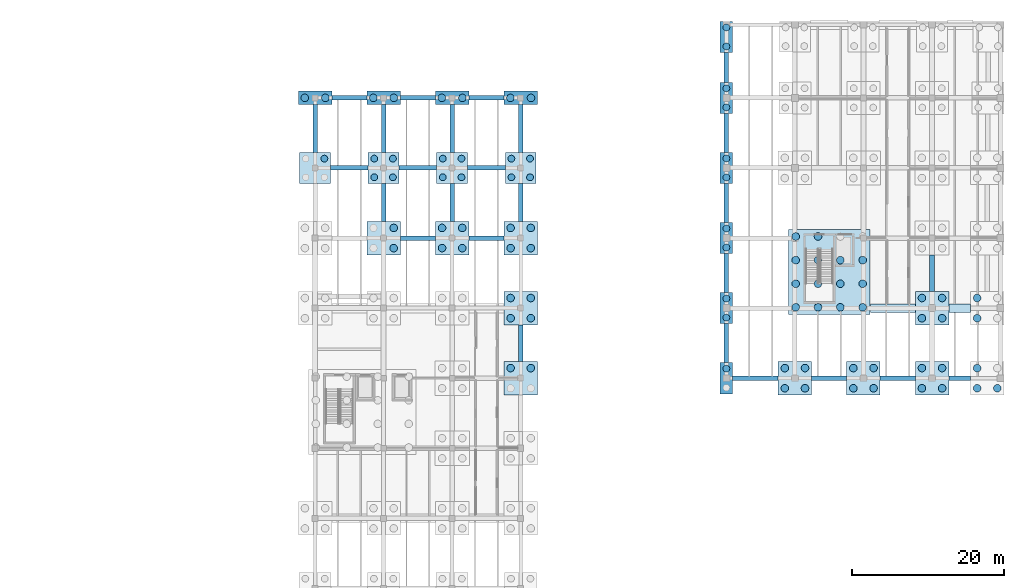
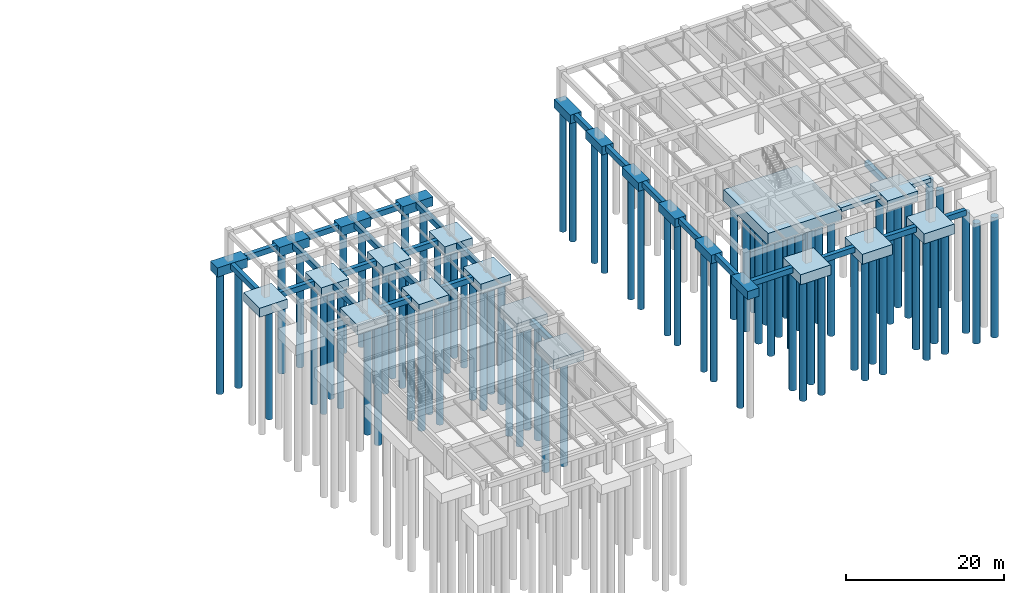
# One storey, part 3 of 16: 83 piles, 52 footings.
"""IFC4 building model written with IfcOpenShell, lengths in metres."""

from ifc_helpers import new_model, si_unit, direction, frame, origin, origin_2d, place, context, subcontext, project, spatial, rectangle, circle, extrude, material, material_profile, profile_set, type_object, element, save


model = new_model("IFC4")

# Units and contexts
model_context = context("Model", 3, precision=1e-05, world=origin(), true_north=direction((0.0, 1.0)))
body_context = subcontext(model_context, "Body", "Model", "MODEL_VIEW")
ifc_project = project(units=[si_unit("LENGTHUNIT", "METRE"), si_unit("AREAUNIT", "SQUARE_METRE"), si_unit("VOLUMEUNIT", "CUBIC_METRE"), si_unit("PLANEANGLEUNIT", "RADIAN"), si_unit("MASSUNIT", "GRAM", prefix="KILO")], contexts=[model_context])

# Site, building, storey
site_placement = place(None, origin())
site = spatial("IfcSite", under=ifc_project, at=site_placement, CompositionType="ELEMENT")
building_placement = place(site_placement, origin())
building = spatial("IfcBuilding", under=site, at=building_placement, Name="Bozkorgan Art Gallery", CompositionType="ELEMENT")
storey_placement = place(building_placement, frame((0.0, 0.0, -4.800048828125)))
storey = spatial("IfcBuildingStorey", under=building, at=storey_placement, Name="B1", CompositionType="ELEMENT", Elevation=-4.800048828125)

# Footings
ifc_material = material(Name="Concrete C30/37", Category="concrete")
ifc_material_profile_1 = material_profile(ifc_material, rectangle(XDim=0.60009765625, YDim=0.85009765625, at=origin_2d()), Name="FND 600x850")
ifc_profile_set_1 = profile_set([ifc_material_profile_1], Name="Concrete C30/37")
footing_type_1 = type_object("IfcFootingType", Name="FOOTING-FB-70", PredefinedType="FOOTING_BEAM", material=ifc_profile_set_1)
for number, where, z_axis, x_axis, name in (
    (1, (85.199951171875, 84.39990234375, -0.425048828125), (1.0, 0.0, 0.0), (0.0, 1.0, 0.0), "V4 foundation tie beam X (83-92, 84.4)"),
    (2, (94.199951171875, 84.39990234375, -0.425048828125), (1.0, 0.0, 0.0), (0.0, 1.0, 0.0), "V4 foundation tie beam X (92-101, 84.4)"),
):
    element("IfcFooting", number, at=place(storey_placement, frame(where, z_axis=z_axis, x_axis=x_axis)), inside=storey, type_object=footing_type_1, Name=name, PredefinedType="FOOTING_BEAM", context=body_context, shape_type="SweptSolid", body=[
        extrude(rectangle(XDim=0.60009765625, YDim=0.85009765625, at=origin_2d()), origin(), (0.0, 0.0, 1.0), 4.60009765625),
    ])
for number, where, z_axis, x_axis, name in (
    (3, (76.02490234375, 93.60009765625, -0.425048828125), (1.0, 0.0, 0.0), (0.0, 1.0, 0.0), "V4 foundation tie beam X (74-83, 93.6)"),
    (4, (85.02490234375, 93.60009765625, -0.425048828125), (1.0, 0.0, 0.0), (0.0, 1.0, 0.0), "V4 foundation tie beam X (83-92, 93.6)"),
    (5, (94.02490234375, 93.60009765625, -0.425048828125), (1.0, 0.0, 0.0), (0.0, 1.0, 0.0), "V4 foundation tie beam X (92-101, 93.6)"),
):
    element("IfcFooting", number, at=place(storey_placement, frame(where, z_axis=z_axis, x_axis=x_axis)), inside=storey, type_object=footing_type_1, Name=name, PredefinedType="FOOTING_BEAM", context=body_context, shape_type="SweptSolid", body=[
        extrude(rectangle(XDim=0.60009765625, YDim=0.85009765625, at=origin_2d()), origin(), (0.0, 0.0, 1.0), 4.9501953125),
    ])
for number, where, z_axis, x_axis, name in (
    (6, (76.199951171875, 102.800048828125, -0.425048828125), (1.0, 0.0, 0.0), (0.0, 1.0, 0.0), "V4 foundation tie beam X (74-83, 102.8)"),
    (7, (85.199951171875, 102.800048828125, -0.425048828125), (1.0, 0.0, 0.0), (0.0, 1.0, 0.0), "V4 foundation tie beam X (83-92, 102.8)"),
    (8, (94.199951171875, 102.800048828125, -0.425048828125), (1.0, 0.0, 0.0), (0.0, 1.0, 0.0), "V4 foundation tie beam X (92-101, 102.8)"),
):
    element("IfcFooting", number, at=place(storey_placement, frame(where, z_axis=z_axis, x_axis=x_axis)), inside=storey, type_object=footing_type_1, Name=name, PredefinedType="FOOTING_BEAM", context=body_context, shape_type="SweptSolid", body=[
        extrude(rectangle(XDim=0.60009765625, YDim=0.85009765625, at=origin_2d()), origin(), (0.0, 0.0, 1.0), 4.60009765625),
    ])
footing_1_placement = place(storey_placement, frame((74.0, 95.625, -0.425048828125), z_axis=(0.0, 1.0, 0.0), x_axis=(-1.0, 0.0, 0.0)))
element("IfcFooting", 9, at=footing_1_placement, inside=storey, type_object=footing_type_1, Name="V4 foundation tie beam Y (74, 93.6-102.8)", PredefinedType="FOOTING_BEAM", context=body_context, shape_type="SweptSolid", body=[
    extrude(rectangle(XDim=0.60009765625, YDim=0.85009765625, at=origin_2d()), origin(), (0.0, 0.0, 1.0), 6.27490234375),
])
footing_2_placement = place(storey_placement, frame((83.0, 86.60009765625, -0.425048828125), z_axis=(0.0, 1.0, 0.0), x_axis=(-1.0, 0.0, 0.0)))
element("IfcFooting", 10, at=footing_2_placement, inside=storey, type_object=footing_type_1, Name="V4 foundation tie beam Y (83, 84.4-93.6)", PredefinedType="FOOTING_BEAM", context=body_context, shape_type="SweptSolid", body=[
    extrude(rectangle(XDim=0.60009765625, YDim=0.85009765625, at=origin_2d()), origin(), (0.0, 0.0, 1.0), 4.974853515625),
])
footing_3_placement = place(storey_placement, frame((83.0, 95.625, -0.425048828125), z_axis=(0.0, 1.0, 0.0), x_axis=(-1.0, 0.0, 0.0)))
element("IfcFooting", 11, at=footing_3_placement, inside=storey, type_object=footing_type_1, Name="V4 foundation tie beam Y (83, 93.6-102.8)", PredefinedType="FOOTING_BEAM", context=body_context, shape_type="SweptSolid", body=[
    extrude(rectangle(XDim=0.60009765625, YDim=0.85009765625, at=origin_2d()), origin(), (0.0, 0.0, 1.0), 6.27490234375),
])
footing_4_placement = place(storey_placement, frame((92.0, 86.60009765625, -0.425048828125), z_axis=(0.0, 1.0, 0.0), x_axis=(-1.0, 0.0, 0.0)))
element("IfcFooting", 12, at=footing_4_placement, inside=storey, type_object=footing_type_1, Name="V4 foundation tie beam Y (92, 84.4-93.6)", PredefinedType="FOOTING_BEAM", context=body_context, shape_type="SweptSolid", body=[
    extrude(rectangle(XDim=0.60009765625, YDim=0.85009765625, at=origin_2d()), origin(), (0.0, 0.0, 1.0), 4.974853515625),
])
footing_5_placement = place(storey_placement, frame((92.0, 95.625, -0.425048828125), z_axis=(0.0, 1.0, 0.0), x_axis=(-1.0, 0.0, 0.0)))
element("IfcFooting", 13, at=footing_5_placement, inside=storey, type_object=footing_type_1, Name="V4 foundation tie beam Y (92, 93.6-102.8)", PredefinedType="FOOTING_BEAM", context=body_context, shape_type="SweptSolid", body=[
    extrude(rectangle(XDim=0.60009765625, YDim=0.85009765625, at=origin_2d()), origin(), (0.0, 0.0, 1.0), 6.27490234375),
])
footing_6_placement = place(storey_placement, frame((101.0, 68.199951171875, -0.925048828125), z_axis=(0.0, 1.0, 0.0), x_axis=(-1.0, 0.0, 0.0)))
element("IfcFooting", 14, at=footing_6_placement, inside=storey, type_object=footing_type_1, Name="V4 foundation tie beam Y (101, 66.0-75.2)", PredefinedType="FOOTING_BEAM", context=body_context, shape_type="SweptSolid", body=[
    extrude(rectangle(XDim=0.60009765625, YDim=0.85009765625, at=origin_2d()), origin(), (0.0, 0.0, 1.0), 4.800048828125),
])
footing_7_placement = place(storey_placement, frame((101.0, 86.60009765625, -0.425048828125), z_axis=(0.0, 1.0, 0.0), x_axis=(-1.0, 0.0, 0.0)))
element("IfcFooting", 15, at=footing_7_placement, inside=storey, type_object=footing_type_1, Name="V4 foundation tie beam Y (101, 84.4-93.6)", PredefinedType="FOOTING_BEAM", context=body_context, shape_type="SweptSolid", body=[
    extrude(rectangle(XDim=0.60009765625, YDim=0.85009765625, at=origin_2d()), origin(), (0.0, 0.0, 1.0), 4.974853515625),
])
footing_8_placement = place(storey_placement, frame((101.0, 95.625, -0.425048828125), z_axis=(0.0, 1.0, 0.0), x_axis=(-1.0, 0.0, 0.0)))
element("IfcFooting", 16, at=footing_8_placement, inside=storey, type_object=footing_type_1, Name="V4 foundation tie beam Y (101, 93.6-102.8)", PredefinedType="FOOTING_BEAM", context=body_context, shape_type="SweptSolid", body=[
    extrude(rectangle(XDim=0.60009765625, YDim=0.85009765625, at=origin_2d()), origin(), (0.0, 0.0, 1.0), 6.27490234375),
])
footing_9_placement = place(storey_placement, frame((128.824951171875, 66.0, -0.425048828125), z_axis=(1.0, 0.0, 0.0), x_axis=(0.0, 1.0, 0.0)))
element("IfcFooting", 17, at=footing_9_placement, inside=storey, type_object=footing_type_1, Name="V5 foundation tie beam X (128-137, 66.0)", PredefinedType="FOOTING_BEAM", context=body_context, shape_type="SweptSolid", body=[
    extrude(rectangle(XDim=0.60009765625, YDim=0.85009765625, at=origin_2d()), origin(), (0.0, 0.0, 1.0), 5.97509765625),
])
for number, where, z_axis, x_axis, name in (
    (18, (139.199951171875, 66.0, -0.425048828125), (1.0, 0.0, 0.0), (0.0, 1.0, 0.0), "V5 foundation tie beam X (137-146, 66.0)"),
    (19, (148.199951171875, 66.0, -0.425048828125), (1.0, 0.0, 0.0), (0.0, 1.0, 0.0), "V5 foundation tie beam X (146-155, 66.0)"),
):
    element("IfcFooting", number, at=place(storey_placement, frame(where, z_axis=z_axis, x_axis=x_axis)), inside=storey, type_object=footing_type_1, Name=name, PredefinedType="FOOTING_BEAM", context=body_context, shape_type="SweptSolid", body=[
        extrude(rectangle(XDim=0.60009765625, YDim=0.85009765625, at=origin_2d()), origin(), (0.0, 0.0, 1.0), 4.60009765625),
    ])
footing_10_placement = place(storey_placement, frame((157.199951171875, 66.0, -0.425048828125), z_axis=(1.0, 0.0, 0.0), x_axis=(0.0, 1.0, 0.0)))
element("IfcFooting", 20, at=footing_10_placement, inside=storey, type_object=footing_type_1, Name="V5 foundation tie beam X (155-164, 66.0)", PredefinedType="FOOTING_BEAM", context=body_context, shape_type="SweptSolid", body=[
    extrude(rectangle(XDim=0.60009765625, YDim=0.85009765625, at=origin_2d()), origin(), (0.0, 0.0, 1.0), 2.85009765625),
])
footing_11_placement = place(storey_placement, frame((128.0, 68.050048828125, -0.425048828125), z_axis=(0.0, 1.0, 0.0), x_axis=(-1.0, 0.0, 0.0)))
element("IfcFooting", 21, at=footing_11_placement, inside=storey, type_object=footing_type_1, Name="V5 foundation tie beam Y (128, 66.0-75.2)", PredefinedType="FOOTING_BEAM", context=body_context, shape_type="SweptSolid", body=[
    extrude(rectangle(XDim=0.60009765625, YDim=0.85009765625, at=origin_2d()), origin(), (0.0, 0.0, 1.0), 5.099853515625),
])
for number, where, z_axis, x_axis, name in (
    (22, (128.0, 77.25, -0.425048828125), (0.0, 1.0, 0.0), (-1.0, 0.0, 0.0), "V5 foundation tie beam Y (128, 75.2-84.4)"),
    (23, (128.0, 86.449951171875, -0.425048828125), (0.0, 1.0, 0.0), (-1.0, 0.0, 0.0), "V5 foundation tie beam Y (128, 84.4-93.6)"),
    (24, (128.0, 95.64990234375, -0.425048828125), (0.0, 1.0, 0.0), (-1.0, 0.0, 0.0), "V5 foundation tie beam Y (128, 93.6-102.8)"),
):
    element("IfcFooting", number, at=place(storey_placement, frame(where, z_axis=z_axis, x_axis=x_axis)), inside=storey, type_object=footing_type_1, Name=name, PredefinedType="FOOTING_BEAM", context=body_context, shape_type="SweptSolid", body=[
        extrude(rectangle(XDim=0.60009765625, YDim=0.85009765625, at=origin_2d()), origin(), (0.0, 0.0, 1.0), 5.10009765625),
    ])
footing_12_placement = place(storey_placement, frame((128.0, 104.85009765625, -0.425048828125), z_axis=(0.0, 1.0, 0.0), x_axis=(-1.0, 0.0, 0.0)))
element("IfcFooting", 25, at=footing_12_placement, inside=storey, type_object=footing_type_1, Name="V5 foundation tie beam Y (128, 102.8-112.4)", PredefinedType="FOOTING_BEAM", context=body_context, shape_type="SweptSolid", body=[
    extrude(rectangle(XDim=0.60009765625, YDim=0.85009765625, at=origin_2d()), origin(), (0.0, 0.0, 1.0), 3.89990234375),
])
footing_13_placement = place(storey_placement, frame((155.0, 77.39990234375, -0.925048828125), z_axis=(0.0, 1.0, 0.0), x_axis=(-1.0, 0.0, 0.0)))
element("IfcFooting", 26, at=footing_13_placement, inside=storey, type_object=footing_type_1, Name="V5 foundation tie beam Y (155, 75.2-84.4)", PredefinedType="FOOTING_BEAM", context=body_context, shape_type="SweptSolid", body=[
    extrude(rectangle(XDim=0.60009765625, YDim=0.85009765625, at=origin_2d()), origin(), (0.0, 0.0, 1.0), 4.75),
])
footing_type_2 = type_object("IfcFootingType", Name="FOOTING-PC-22", PredefinedType="PILE_CAP", material=ifc_material)
footing_14_placement = place(storey_placement, frame((141.5, 79.949951171875, -2.2998046875), z_axis=(0.0, 0.0, 1.0), x_axis=(1.0, 0.0, 0.0)))
element("IfcFooting", 27, at=footing_14_placement, inside=storey, type_object=footing_type_2, Name="CORE3 combined core pile cap", PredefinedType="PILE_CAP", context=body_context, shape_type="SweptSolid", body=[
    extrude(rectangle(XDim=10.699951171875, YDim=11.199951171875, at=origin_2d()), origin(), (0.0, 0.0, 1.0), 1.800048828125),
])
footing_type_3 = type_object("IfcFootingType", Name="FOOTING-PC-35", PredefinedType="PILE_CAP", material=ifc_material)
for number, where, z_axis, x_axis, name in (
    (28, (128.0, 66.0, -1.2998046875), (0.0, 0.0, 1.0), (1.0, 0.0, 0.0), "V5 pile cap (128.0, 66.0)"),
    (29, (128.0, 75.199951171875, -1.2998046875), (0.0, 0.0, 1.0), (1.0, 0.0, 0.0), "V5 pile cap (128.0, 75.2)"),
    (30, (128.0, 84.39990234375, -1.2998046875), (0.0, 0.0, 1.0), (1.0, 0.0, 0.0), "V5 pile cap (128.0, 84.4)"),
    (31, (128.0, 93.60009765625, -1.2998046875), (0.0, 0.0, 1.0), (1.0, 0.0, 0.0), "V5 pile cap (128.0, 93.6)"),
    (32, (128.0, 102.800048828125, -1.2998046875), (0.0, 0.0, 1.0), (1.0, 0.0, 0.0), "V5 pile cap (128.0, 102.8)"),
    (33, (128.0, 110.800048828125, -1.2998046875), (0.0, 0.0, 1.0), (1.0, 0.0, 0.0), "V5 pile cap (128.0, 112.4)"),
):
    element("IfcFooting", number, at=place(storey_placement, frame(where, z_axis=z_axis, x_axis=x_axis)), inside=storey, type_object=footing_type_3, Name=name, PredefinedType="PILE_CAP", context=body_context, shape_type="SweptSolid", body=[
        extrude(rectangle(XDim=1.64990234375, YDim=4.10009765625, at=origin_2d()), origin(), (0.0, 0.0, 1.0), 1.300048828125),
    ])
footing_type_4 = type_object("IfcFootingType", Name="FOOTING-PC-69", PredefinedType="PILE_CAP", material=ifc_material)
for number, where, z_axis, x_axis, name in (
    (34, (74.0, 102.800048828125, -1.39990234375), (0.0, 0.0, 1.0), (1.0, 0.0, 0.0), "V4 pile cap (74.0, 102.8)"),
    (35, (83.0, 102.800048828125, -1.39990234375), (0.0, 0.0, 1.0), (1.0, 0.0, 0.0), "V4 pile cap (83.0, 102.8)"),
    (36, (92.0, 102.800048828125, -1.39990234375), (0.0, 0.0, 1.0), (1.0, 0.0, 0.0), "V4 pile cap (92.0, 102.8)"),
    (37, (101.0, 102.800048828125, -1.39990234375), (0.0, 0.0, 1.0), (1.0, 0.0, 0.0), "V4 pile cap (101.0, 102.8)"),
):
    element("IfcFooting", number, at=place(storey_placement, frame(where, z_axis=z_axis, x_axis=x_axis)), inside=storey, type_object=footing_type_4, Name=name, PredefinedType="PILE_CAP", context=body_context, shape_type="SweptSolid", body=[
        extrude(rectangle(XDim=4.39990234375, YDim=1.800048828125, at=origin_2d()), origin(), (0.0, 0.0, 1.0), 1.39990234375),
    ])
footing_type_5 = type_object("IfcFootingType", Name="FOOTING-PC-74", PredefinedType="PILE_CAP", material=ifc_material)
for number, where, z_axis, x_axis, name in (
    (38, (74.0, 93.60009765625, -1.39990234375), (0.0, 0.0, 1.0), (1.0, 0.0, 0.0), "V4 pile cap (74.0, 93.6)"),
    (39, (83.0, 93.60009765625, -1.39990234375), (0.0, 0.0, 1.0), (1.0, 0.0, 0.0), "V4 pile cap (83.0, 93.6)"),
    (40, (92.0, 93.60009765625, -1.39990234375), (0.0, 0.0, 1.0), (1.0, 0.0, 0.0), "V4 pile cap (92.0, 93.6)"),
    (41, (101.0, 93.60009765625, -1.39990234375), (0.0, 0.0, 1.0), (1.0, 0.0, 0.0), "V4 pile cap (101.0, 93.6)"),
):
    element("IfcFooting", number, at=place(storey_placement, frame(where, z_axis=z_axis, x_axis=x_axis)), inside=storey, type_object=footing_type_5, Name=name, PredefinedType="PILE_CAP", context=body_context, shape_type="SweptSolid", body=[
        extrude(rectangle(XDim=4.050048828125, YDim=4.050048828125, at=origin_2d()), origin(), (0.0, 0.0, 1.0), 1.39990234375),
    ])
footing_type_6 = type_object("IfcFootingType", Name="FOOTING-PC-76", PredefinedType="PILE_CAP", material=ifc_material)
for number, where, z_axis, x_axis, name in (
    (42, (83.0, 84.39990234375, -1.5498046875), (0.0, 0.0, 1.0), (1.0, 0.0, 0.0), "V4 pile cap (83.0, 84.4)"),
    (43, (92.0, 84.39990234375, -1.5498046875), (0.0, 0.0, 1.0), (1.0, 0.0, 0.0), "V4 pile cap (92.0, 84.4)"),
    (44, (101.0, 66.0, -2.0498046875), (0.0, 0.0, 1.0), (1.0, 0.0, 0.0), "V4 pile cap (101.0, 66.0)"),
    (45, (101.0, 75.199951171875, -2.0498046875), (0.0, 0.0, 1.0), (1.0, 0.0, 0.0), "V4 pile cap (101.0, 75.2)"),
    (46, (101.0, 84.39990234375, -1.5498046875), (0.0, 0.0, 1.0), (1.0, 0.0, 0.0), "V4 pile cap (101.0, 84.4)"),
    (47, (137.0, 66.0, -1.5498046875), (0.0, 0.0, 1.0), (1.0, 0.0, 0.0), "V5 pile cap (137.0, 66.0)"),
    (48, (146.0, 66.0, -1.5498046875), (0.0, 0.0, 1.0), (1.0, 0.0, 0.0), "V5 pile cap (146.0, 66.0)"),
    (49, (155.0, 66.0, -1.5498046875), (0.0, 0.0, 1.0), (1.0, 0.0, 0.0), "V5 pile cap (155.0, 66.0)"),
    (50, (155.0, 75.199951171875, -2.0498046875), (0.0, 0.0, 1.0), (1.0, 0.0, 0.0), "V5 pile cap (155.0, 75.2)"),
):
    element("IfcFooting", number, at=place(storey_placement, frame(where, z_axis=z_axis, x_axis=x_axis)), inside=storey, type_object=footing_type_6, Name=name, PredefinedType="PILE_CAP", context=body_context, shape_type="SweptSolid", body=[
        extrude(rectangle(XDim=4.39990234375, YDim=4.39990234375, at=origin_2d()), origin(), (0.0, 0.0, 1.0), 1.550048828125),
    ])
ifc_material_profile_2 = material_profile(ifc_material, rectangle(XDim=1.10009765625, YDim=0.64990234375, at=origin_2d()), Name="FND 1100x650")
ifc_profile_set_2 = profile_set([ifc_material_profile_2], Name="Concrete C30/37")
footing_type_7 = type_object("IfcFootingType", Name="FOOTING-SF-92", PredefinedType="STRIP_FOOTING", material=ifc_profile_set_2)
footing_15_placement = place(storey_placement, frame((146.89990234375, 75.199951171875, -0.824951171875), z_axis=(1.0, 0.0, 0.0), x_axis=(0.0, 1.0, 0.0)))
element("IfcFooting", 51, at=footing_15_placement, inside=storey, type_object=footing_type_7, Name="V5 B1 retaining wall strip footing 15", PredefinedType="STRIP_FOOTING", context=body_context, shape_type="SweptSolid", body=[
    extrude(rectangle(XDim=1.10009765625, YDim=0.64990234375, at=origin_2d()), origin(), (0.0, 0.0, 1.0), 5.900146484375),
])
footing_16_placement = place(storey_placement, frame((157.199951171875, 75.199951171875, -0.824951171875), z_axis=(1.0, 0.0, 0.0), x_axis=(0.0, 1.0, 0.0)))
element("IfcFooting", 52, at=footing_16_placement, inside=storey, type_object=footing_type_7, Name="V5 B1 retaining wall strip footing 16", PredefinedType="STRIP_FOOTING", context=body_context, shape_type="SweptSolid", body=[
    extrude(rectangle(XDim=1.10009765625, YDim=0.64990234375, at=origin_2d()), origin(), (0.0, 0.0, 1.0), 2.85009765625),
])

# Piles
ifc_material_profile_3 = material_profile(ifc_material, circle(Radius=0.5, at=origin_2d()), Name="PILE D1000")
ifc_profile_set_3 = profile_set([ifc_material_profile_3], Name="Concrete C30/37")
pile_type_1 = type_object("IfcPileType", Name="PILE-P-36", PredefinedType="BORED", material=ifc_profile_set_3)
for number, where, z_axis, x_axis, name in (
    (53, (137.10009765625, 75.300048828125, -2.199951171875), (0.0, 0.0, -1.0), (1.0, 0.0, 0.0), "CORE3 bored pile 1"),
    (54, (137.10009765625, 78.39990234375, -2.199951171875), (0.0, 0.0, -1.0), (1.0, 0.0, 0.0), "CORE3 bored pile 2"),
    (55, (137.10009765625, 81.5, -2.199951171875), (0.0, 0.0, -1.0), (1.0, 0.0, 0.0), "CORE3 bored pile 3"),
    (56, (137.10009765625, 84.60009765625, -2.199951171875), (0.0, 0.0, -1.0), (1.0, 0.0, 0.0), "CORE3 bored pile 4"),
    (57, (140.033203125, 75.300048828125, -2.199951171875), (0.0, 0.0, -1.0), (1.0, 0.0, 0.0), "CORE3 bored pile 5"),
    (58, (140.033203125, 78.39990234375, -2.199951171875), (0.0, 0.0, -1.0), (1.0, 0.0, 0.0), "CORE3 bored pile 6"),
    (59, (140.033203125, 81.5, -2.199951171875), (0.0, 0.0, -1.0), (1.0, 0.0, 0.0), "CORE3 bored pile 7"),
    (60, (140.033203125, 84.60009765625, -2.199951171875), (0.0, 0.0, -1.0), (1.0, 0.0, 0.0), "CORE3 bored pile 8"),
    (61, (142.966796875, 75.300048828125, -2.199951171875), (0.0, 0.0, -1.0), (1.0, 0.0, 0.0), "CORE3 bored pile 9"),
    (62, (142.966796875, 78.39990234375, -2.199951171875), (0.0, 0.0, -1.0), (1.0, 0.0, 0.0), "CORE3 bored pile 10"),
    (63, (142.966796875, 81.5, -2.199951171875), (0.0, 0.0, -1.0), (1.0, 0.0, 0.0), "CORE3 bored pile 11"),
    (64, (145.89990234375, 75.300048828125, -2.199951171875), (0.0, 0.0, -1.0), (1.0, 0.0, 0.0), "CORE3 bored pile 13"),
    (65, (145.89990234375, 78.39990234375, -2.199951171875), (0.0, 0.0, -1.0), (1.0, 0.0, 0.0), "CORE3 bored pile 14"),
    (66, (145.89990234375, 81.5, -2.199951171875), (0.0, 0.0, -1.0), (1.0, 0.0, 0.0), "CORE3 bored pile 15"),
):
    element("IfcPile", number, at=place(storey_placement, frame(where, z_axis=z_axis, x_axis=x_axis)), inside=storey, type_object=pile_type_1, Name=name, PredefinedType="BORED", context=body_context, shape_type="SweptSolid", body=[
        extrude(circle(Radius=0.5, at=origin_2d()), origin(), (0.0, 0.0, 1.0), 17.800048828125),
    ])
for number, where, z_axis, x_axis, name in (
    (67, (72.64990234375, 102.800048828125, -1.300048828125), (0.0, 0.0, -1.0), (1.0, 0.0, 0.0), "V4 pile (74.0, 102.8) #1"),
    (68, (75.35009765625, 102.800048828125, -1.300048828125), (0.0, 0.0, -1.0), (1.0, 0.0, 0.0), "V4 pile (74.0, 102.8) #2"),
):
    element("IfcPile", number, at=place(storey_placement, frame(where, z_axis=z_axis, x_axis=x_axis)), inside=storey, type_object=pile_type_1, Name=name, PredefinedType="BORED", context=body_context, shape_type="SweptSolid", body=[
        extrude(circle(Radius=0.5, at=origin_2d()), origin(), (0.0, 0.0, 1.0), 18.699951171875),
    ])
for number, where, z_axis, x_axis, name in (
    (69, (84.324951171875, 83.074951171875, -1.449951171875), (0.0, 0.0, -1.0), (1.0, 0.0, 0.0), "V4 pile (83.0, 84.4) #2"),
    (70, (84.324951171875, 85.72509765625, -1.449951171875), (0.0, 0.0, -1.0), (1.0, 0.0, 0.0), "V4 pile (83.0, 84.4) #4"),
):
    element("IfcPile", number, at=place(storey_placement, frame(where, z_axis=z_axis, x_axis=x_axis)), inside=storey, type_object=pile_type_1, Name=name, PredefinedType="BORED", context=body_context, shape_type="SweptSolid", body=[
        extrude(circle(Radius=0.5, at=origin_2d()), origin(), (0.0, 0.0, 1.0), 18.550048828125),
    ])
for number, where, z_axis, x_axis, name in (
    (71, (81.64990234375, 102.800048828125, -1.300048828125), (0.0, 0.0, -1.0), (1.0, 0.0, 0.0), "V4 pile (83.0, 102.8) #1"),
    (72, (84.35009765625, 102.800048828125, -1.300048828125), (0.0, 0.0, -1.0), (1.0, 0.0, 0.0), "V4 pile (83.0, 102.8) #2"),
):
    element("IfcPile", number, at=place(storey_placement, frame(where, z_axis=z_axis, x_axis=x_axis)), inside=storey, type_object=pile_type_1, Name=name, PredefinedType="BORED", context=body_context, shape_type="SweptSolid", body=[
        extrude(circle(Radius=0.5, at=origin_2d()), origin(), (0.0, 0.0, 1.0), 18.699951171875),
    ])
for number, where, z_axis, x_axis, name in (
    (73, (90.675048828125, 83.074951171875, -1.449951171875), (0.0, 0.0, -1.0), (1.0, 0.0, 0.0), "V4 pile (92.0, 84.4) #1"),
    (74, (93.324951171875, 83.074951171875, -1.449951171875), (0.0, 0.0, -1.0), (1.0, 0.0, 0.0), "V4 pile (92.0, 84.4) #2"),
    (75, (90.675048828125, 85.72509765625, -1.449951171875), (0.0, 0.0, -1.0), (1.0, 0.0, 0.0), "V4 pile (92.0, 84.4) #3"),
    (76, (93.324951171875, 85.72509765625, -1.449951171875), (0.0, 0.0, -1.0), (1.0, 0.0, 0.0), "V4 pile (92.0, 84.4) #4"),
):
    element("IfcPile", number, at=place(storey_placement, frame(where, z_axis=z_axis, x_axis=x_axis)), inside=storey, type_object=pile_type_1, Name=name, PredefinedType="BORED", context=body_context, shape_type="SweptSolid", body=[
        extrude(circle(Radius=0.5, at=origin_2d()), origin(), (0.0, 0.0, 1.0), 18.550048828125),
    ])
for number, where, z_axis, x_axis, name in (
    (77, (90.64990234375, 102.800048828125, -1.300048828125), (0.0, 0.0, -1.0), (1.0, 0.0, 0.0), "V4 pile (92.0, 102.8) #1"),
    (78, (93.35009765625, 102.800048828125, -1.300048828125), (0.0, 0.0, -1.0), (1.0, 0.0, 0.0), "V4 pile (92.0, 102.8) #2"),
):
    element("IfcPile", number, at=place(storey_placement, frame(where, z_axis=z_axis, x_axis=x_axis)), inside=storey, type_object=pile_type_1, Name=name, PredefinedType="BORED", context=body_context, shape_type="SweptSolid", body=[
        extrude(circle(Radius=0.5, at=origin_2d()), origin(), (0.0, 0.0, 1.0), 18.699951171875),
    ])
for number, where, z_axis, x_axis, name in (
    (79, (99.675048828125, 67.324951171875, -1.949951171875), (0.0, 0.0, -1.0), (1.0, 0.0, 0.0), "V4 pile (101.0, 66.0) #3"),
    (80, (102.324951171875, 67.324951171875, -1.949951171875), (0.0, 0.0, -1.0), (1.0, 0.0, 0.0), "V4 pile (101.0, 66.0) #4"),
    (81, (99.675048828125, 73.875, -1.949951171875), (0.0, 0.0, -1.0), (1.0, 0.0, 0.0), "V4 pile (101.0, 75.2) #1"),
    (82, (102.324951171875, 73.875, -1.949951171875), (0.0, 0.0, -1.0), (1.0, 0.0, 0.0), "V4 pile (101.0, 75.2) #2"),
    (83, (99.675048828125, 76.52490234375, -1.949951171875), (0.0, 0.0, -1.0), (1.0, 0.0, 0.0), "V4 pile (101.0, 75.2) #3"),
    (84, (102.324951171875, 76.52490234375, -1.949951171875), (0.0, 0.0, -1.0), (1.0, 0.0, 0.0), "V4 pile (101.0, 75.2) #4"),
):
    element("IfcPile", number, at=place(storey_placement, frame(where, z_axis=z_axis, x_axis=x_axis)), inside=storey, type_object=pile_type_1, Name=name, PredefinedType="BORED", context=body_context, shape_type="SweptSolid", body=[
        extrude(circle(Radius=0.5, at=origin_2d()), origin(), (0.0, 0.0, 1.0), 18.050048828125),
    ])
for number, where, z_axis, x_axis, name in (
    (85, (99.675048828125, 83.074951171875, -1.449951171875), (0.0, 0.0, -1.0), (1.0, 0.0, 0.0), "V4 pile (101.0, 84.4) #1"),
    (86, (102.324951171875, 83.074951171875, -1.449951171875), (0.0, 0.0, -1.0), (1.0, 0.0, 0.0), "V4 pile (101.0, 84.4) #2"),
    (87, (99.675048828125, 85.72509765625, -1.449951171875), (0.0, 0.0, -1.0), (1.0, 0.0, 0.0), "V4 pile (101.0, 84.4) #3"),
    (88, (102.324951171875, 85.72509765625, -1.449951171875), (0.0, 0.0, -1.0), (1.0, 0.0, 0.0), "V4 pile (101.0, 84.4) #4"),
):
    element("IfcPile", number, at=place(storey_placement, frame(where, z_axis=z_axis, x_axis=x_axis)), inside=storey, type_object=pile_type_1, Name=name, PredefinedType="BORED", context=body_context, shape_type="SweptSolid", body=[
        extrude(circle(Radius=0.5, at=origin_2d()), origin(), (0.0, 0.0, 1.0), 18.550048828125),
    ])
for number, where, z_axis, x_axis, name in (
    (89, (99.64990234375, 102.800048828125, -1.300048828125), (0.0, 0.0, -1.0), (1.0, 0.0, 0.0), "V4 pile (101.0, 102.8) #1"),
    (90, (102.35009765625, 102.800048828125, -1.300048828125), (0.0, 0.0, -1.0), (1.0, 0.0, 0.0), "V4 pile (101.0, 102.8) #2"),
):
    element("IfcPile", number, at=place(storey_placement, frame(where, z_axis=z_axis, x_axis=x_axis)), inside=storey, type_object=pile_type_1, Name=name, PredefinedType="BORED", context=body_context, shape_type="SweptSolid", body=[
        extrude(circle(Radius=0.5, at=origin_2d()), origin(), (0.0, 0.0, 1.0), 18.699951171875),
    ])
for number, where, z_axis, x_axis, name in (
    (91, (135.675048828125, 64.675048828125, -1.449951171875), (0.0, 0.0, -1.0), (1.0, 0.0, 0.0), "V5 pile (137.0, 66.0) #1"),
    (92, (138.324951171875, 64.675048828125, -1.449951171875), (0.0, 0.0, -1.0), (1.0, 0.0, 0.0), "V5 pile (137.0, 66.0) #2"),
    (93, (135.675048828125, 67.324951171875, -1.449951171875), (0.0, 0.0, -1.0), (1.0, 0.0, 0.0), "V5 pile (137.0, 66.0) #3"),
    (94, (138.324951171875, 67.324951171875, -1.449951171875), (0.0, 0.0, -1.0), (1.0, 0.0, 0.0), "V5 pile (137.0, 66.0) #4"),
    (95, (144.675048828125, 64.675048828125, -1.449951171875), (0.0, 0.0, -1.0), (1.0, 0.0, 0.0), "V5 pile (146.0, 66.0) #1"),
    (96, (147.324951171875, 64.675048828125, -1.449951171875), (0.0, 0.0, -1.0), (1.0, 0.0, 0.0), "V5 pile (146.0, 66.0) #2"),
    (97, (144.675048828125, 67.324951171875, -1.449951171875), (0.0, 0.0, -1.0), (1.0, 0.0, 0.0), "V5 pile (146.0, 66.0) #3"),
    (98, (147.324951171875, 67.324951171875, -1.449951171875), (0.0, 0.0, -1.0), (1.0, 0.0, 0.0), "V5 pile (146.0, 66.0) #4"),
    (99, (153.675048828125, 64.675048828125, -1.449951171875), (0.0, 0.0, -1.0), (1.0, 0.0, 0.0), "V5 pile (155.0, 66.0) #1"),
    (100, (156.324951171875, 64.675048828125, -1.449951171875), (0.0, 0.0, -1.0), (1.0, 0.0, 0.0), "V5 pile (155.0, 66.0) #2"),
    (101, (153.675048828125, 67.324951171875, -1.449951171875), (0.0, 0.0, -1.0), (1.0, 0.0, 0.0), "V5 pile (155.0, 66.0) #3"),
    (102, (156.324951171875, 67.324951171875, -1.449951171875), (0.0, 0.0, -1.0), (1.0, 0.0, 0.0), "V5 pile (155.0, 66.0) #4"),
):
    element("IfcPile", number, at=place(storey_placement, frame(where, z_axis=z_axis, x_axis=x_axis)), inside=storey, type_object=pile_type_1, Name=name, PredefinedType="BORED", context=body_context, shape_type="SweptSolid", body=[
        extrude(circle(Radius=0.5, at=origin_2d()), origin(), (0.0, 0.0, 1.0), 18.550048828125),
    ])
for number, where, z_axis, x_axis, name in (
    (103, (153.675048828125, 73.875, -1.949951171875), (0.0, 0.0, -1.0), (1.0, 0.0, 0.0), "V5 pile (155.0, 75.2) #1"),
    (104, (156.324951171875, 73.875, -1.949951171875), (0.0, 0.0, -1.0), (1.0, 0.0, 0.0), "V5 pile (155.0, 75.2) #2"),
    (105, (153.675048828125, 76.52490234375, -1.949951171875), (0.0, 0.0, -1.0), (1.0, 0.0, 0.0), "V5 pile (155.0, 75.2) #3"),
    (106, (156.324951171875, 76.52490234375, -1.949951171875), (0.0, 0.0, -1.0), (1.0, 0.0, 0.0), "V5 pile (155.0, 75.2) #4"),
):
    element("IfcPile", number, at=place(storey_placement, frame(where, z_axis=z_axis, x_axis=x_axis)), inside=storey, type_object=pile_type_1, Name=name, PredefinedType="BORED", context=body_context, shape_type="SweptSolid", body=[
        extrude(circle(Radius=0.5, at=origin_2d()), origin(), (0.0, 0.0, 1.0), 18.050048828125),
    ])
for number, where, z_axis, x_axis, name in (
    (107, (160.925048828125, 64.675048828125, -1.449951171875), (0.0, 0.0, -1.0), (1.0, 0.0, 0.0), "V5 pile (164.0, 66.0) #1"),
    (108, (163.574951171875, 64.675048828125, -1.449951171875), (0.0, 0.0, -1.0), (1.0, 0.0, 0.0), "V5 pile (164.0, 66.0) #2"),
    (109, (160.925048828125, 67.324951171875, -1.449951171875), (0.0, 0.0, -1.0), (1.0, 0.0, 0.0), "V5 pile (164.0, 66.0) #3"),
):
    element("IfcPile", number, at=place(storey_placement, frame(where, z_axis=z_axis, x_axis=x_axis)), inside=storey, type_object=pile_type_1, Name=name, PredefinedType="BORED", context=body_context, shape_type="SweptSolid", body=[
        extrude(circle(Radius=0.5, at=origin_2d()), origin(), (0.0, 0.0, 1.0), 18.550048828125),
    ])
for number, where, z_axis, x_axis, name in (
    (110, (160.925048828125, 73.875, -1.949951171875), (0.0, 0.0, -1.0), (1.0, 0.0, 0.0), "V5 pile (164.0, 75.2) #1"),
    (111, (160.925048828125, 76.52490234375, -1.949951171875), (0.0, 0.0, -1.0), (1.0, 0.0, 0.0), "V5 pile (164.0, 75.2) #3"),
):
    element("IfcPile", number, at=place(storey_placement, frame(where, z_axis=z_axis, x_axis=x_axis)), inside=storey, type_object=pile_type_1, Name=name, PredefinedType="BORED", context=body_context, shape_type="SweptSolid", body=[
        extrude(circle(Radius=0.5, at=origin_2d()), origin(), (0.0, 0.0, 1.0), 18.050048828125),
    ])
ifc_material_profile_4 = material_profile(ifc_material, circle(Radius=0.449951171875, at=origin_2d()), Name="PILE D900")
ifc_profile_set_4 = profile_set([ifc_material_profile_4], Name="Concrete C30/37")
pile_type_2 = type_object("IfcPileType", Name="PILE-P-65", PredefinedType="BORED", material=ifc_profile_set_4)
for number, where, z_axis, x_axis, name in (
    (112, (75.22509765625, 94.824951171875, -1.300048828125), (0.0, 0.0, -1.0), (1.0, 0.0, 0.0), "V4 pile (74.0, 93.6) #4"),
    (113, (81.77490234375, 92.375, -1.300048828125), (0.0, 0.0, -1.0), (1.0, 0.0, 0.0), "V4 pile (83.0, 93.6) #1"),
    (114, (84.22509765625, 92.375, -1.300048828125), (0.0, 0.0, -1.0), (1.0, 0.0, 0.0), "V4 pile (83.0, 93.6) #2"),
    (115, (81.77490234375, 94.824951171875, -1.300048828125), (0.0, 0.0, -1.0), (1.0, 0.0, 0.0), "V4 pile (83.0, 93.6) #3"),
    (116, (84.22509765625, 94.824951171875, -1.300048828125), (0.0, 0.0, -1.0), (1.0, 0.0, 0.0), "V4 pile (83.0, 93.6) #4"),
    (117, (90.77490234375, 92.375, -1.300048828125), (0.0, 0.0, -1.0), (1.0, 0.0, 0.0), "V4 pile (92.0, 93.6) #1"),
    (118, (93.22509765625, 92.375, -1.300048828125), (0.0, 0.0, -1.0), (1.0, 0.0, 0.0), "V4 pile (92.0, 93.6) #2"),
    (119, (90.77490234375, 94.824951171875, -1.300048828125), (0.0, 0.0, -1.0), (1.0, 0.0, 0.0), "V4 pile (92.0, 93.6) #3"),
    (120, (93.22509765625, 94.824951171875, -1.300048828125), (0.0, 0.0, -1.0), (1.0, 0.0, 0.0), "V4 pile (92.0, 93.6) #4"),
    (121, (99.77490234375, 92.375, -1.300048828125), (0.0, 0.0, -1.0), (1.0, 0.0, 0.0), "V4 pile (101.0, 93.6) #1"),
    (122, (102.22509765625, 92.375, -1.300048828125), (0.0, 0.0, -1.0), (1.0, 0.0, 0.0), "V4 pile (101.0, 93.6) #2"),
    (123, (99.77490234375, 94.824951171875, -1.300048828125), (0.0, 0.0, -1.0), (1.0, 0.0, 0.0), "V4 pile (101.0, 93.6) #3"),
    (124, (102.22509765625, 94.824951171875, -1.300048828125), (0.0, 0.0, -1.0), (1.0, 0.0, 0.0), "V4 pile (101.0, 93.6) #4"),
):
    element("IfcPile", number, at=place(storey_placement, frame(where, z_axis=z_axis, x_axis=x_axis)), inside=storey, type_object=pile_type_2, Name=name, PredefinedType="BORED", context=body_context, shape_type="SweptSolid", body=[
        extrude(circle(Radius=0.449951171875, at=origin_2d()), origin(), (0.0, 0.0, 1.0), 18.699951171875),
    ])
for number, where, z_axis, x_axis, name in (
    (125, (128.0, 67.25, -1.199951171875), (0.0, 0.0, -1.0), (1.0, 0.0, 0.0), "V5 pile (128.0, 66.0) #2"),
    (126, (128.0, 73.949951171875, -1.199951171875), (0.0, 0.0, -1.0), (1.0, 0.0, 0.0), "V5 pile (128.0, 75.2) #1"),
    (127, (128.0, 76.449951171875, -1.199951171875), (0.0, 0.0, -1.0), (1.0, 0.0, 0.0), "V5 pile (128.0, 75.2) #2"),
    (128, (128.0, 83.14990234375, -1.199951171875), (0.0, 0.0, -1.0), (1.0, 0.0, 0.0), "V5 pile (128.0, 84.4) #1"),
    (129, (128.0, 85.64990234375, -1.199951171875), (0.0, 0.0, -1.0), (1.0, 0.0, 0.0), "V5 pile (128.0, 84.4) #2"),
    (130, (128.0, 92.35009765625, -1.199951171875), (0.0, 0.0, -1.0), (1.0, 0.0, 0.0), "V5 pile (128.0, 93.6) #1"),
    (131, (128.0, 94.85009765625, -1.199951171875), (0.0, 0.0, -1.0), (1.0, 0.0, 0.0), "V5 pile (128.0, 93.6) #2"),
    (132, (128.0, 101.550048828125, -1.199951171875), (0.0, 0.0, -1.0), (1.0, 0.0, 0.0), "V5 pile (128.0, 102.8) #1"),
    (133, (128.0, 104.050048828125, -1.199951171875), (0.0, 0.0, -1.0), (1.0, 0.0, 0.0), "V5 pile (128.0, 102.8) #2"),
    (134, (128.0, 109.550048828125, -1.199951171875), (0.0, 0.0, -1.0), (1.0, 0.0, 0.0), "V5 pile (128.0, 112.4) #1"),
    (135, (128.0, 112.050048828125, -1.199951171875), (0.0, 0.0, -1.0), (1.0, 0.0, 0.0), "V5 pile (128.0, 112.4) #2"),
):
    element("IfcPile", number, at=place(storey_placement, frame(where, z_axis=z_axis, x_axis=x_axis)), inside=storey, type_object=pile_type_2, Name=name, PredefinedType="BORED", context=body_context, shape_type="SweptSolid", body=[
        extrude(circle(Radius=0.449951171875, at=origin_2d()), origin(), (0.0, 0.0, 1.0), 18.800048828125),
    ])

save(model, "model.ifc")
